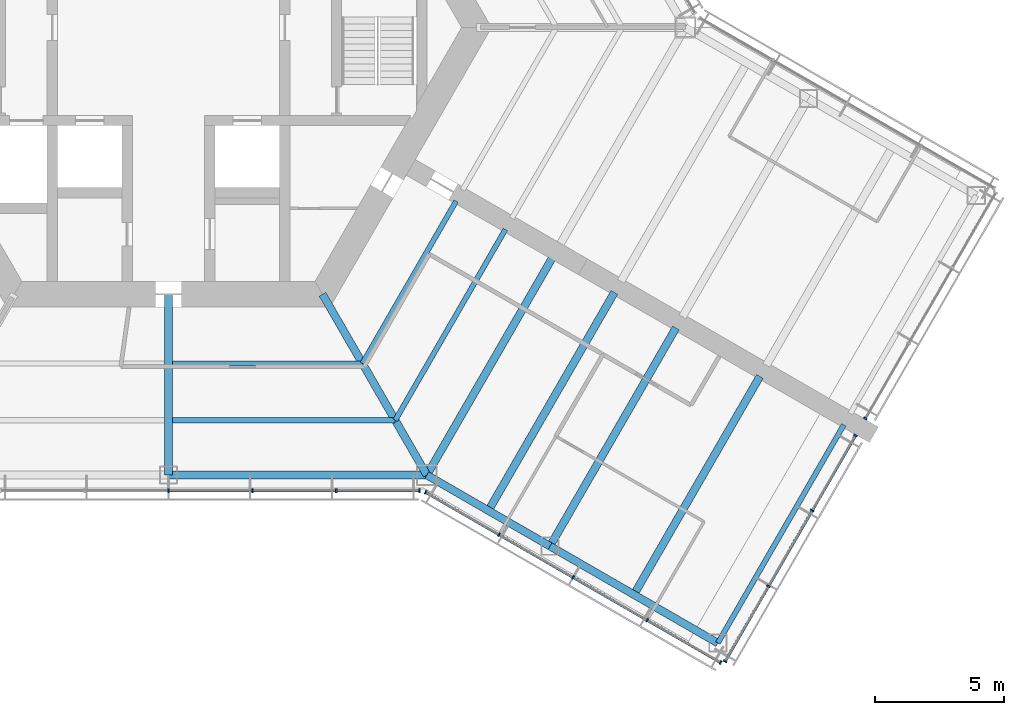
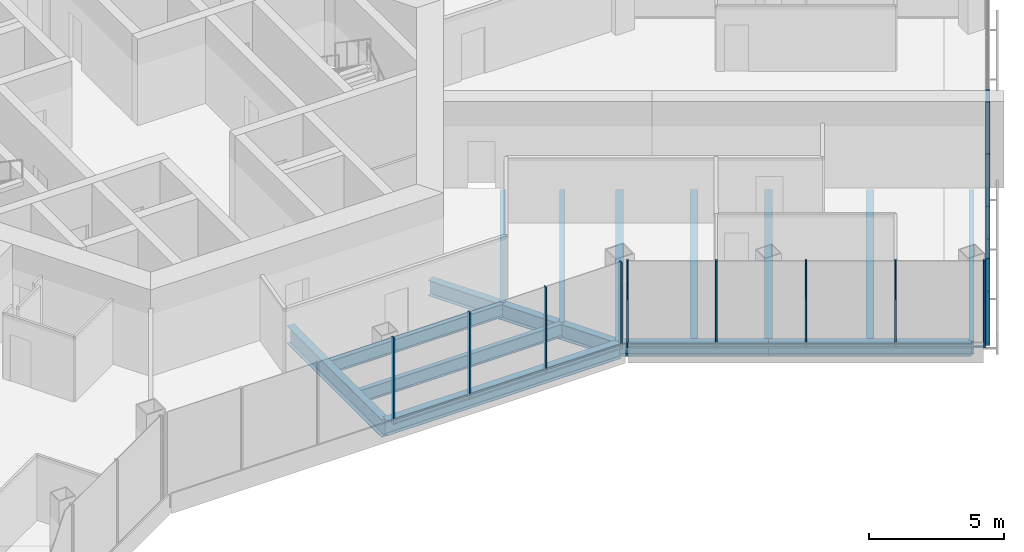
# One storey, part 5 of 18: 24 members, 14 beams, 4 elements without a shape of their own.
"""IFC4 building model written with IfcOpenShell, lengths in metres."""

from ifc_helpers import new_model, si_unit, direction, frame, origin, origin_2d, place, context, subcontext, project, spatial, rectangle, i_section, extrude, material, material_profile, profile_set, type_object, element, aggregate, save


model = new_model("IFC4")

# Units and contexts
model_context = context("Model", 3, precision=1e-05, world=origin(), true_north=direction((0.0, 1.0)))
body_context = subcontext(model_context, "Body", "Model", "MODEL_VIEW")
ifc_project = project(units=[si_unit("LENGTHUNIT", "METRE"), si_unit("AREAUNIT", "SQUARE_METRE"), si_unit("VOLUMEUNIT", "CUBIC_METRE"), si_unit("PLANEANGLEUNIT", "RADIAN"), si_unit("MASSUNIT", "GRAM", prefix="KILO")], contexts=[model_context])

# Site, building, storey
site_placement = place(None, origin())
site = spatial("IfcSite", under=ifc_project, at=site_placement, CompositionType="ELEMENT")
building_placement = place(site_placement, origin())
building = spatial("IfcBuilding", under=site, at=building_placement, Name="Kasaneha Research Tower", CompositionType="ELEMENT")
storey_placement = place(building_placement, frame((0.0, 0.0, 148.699951171875)))
storey = spatial("IfcBuildingStorey", under=building, at=storey_placement, Name="L37", CompositionType="ELEMENT", Elevation=148.699951171875)

# Beams
ifc_material_1 = material(Name="Steel SN490B", Category="steel")
ifc_material_profile_1 = material_profile(ifc_material_1, i_section(OverallWidth=0.199951171875, OverallDepth=0.60009765625, WebThickness=0.010986328125, FlangeThickness=0.01708984375, FilletRadius=0.012939453125, at=origin_2d()), Name="H-600x200x11x17")
ifc_profile_set_1 = profile_set([ifc_material_profile_1], Name="Steel SN490B")
beam_type_1 = type_object("IfcBeamType", Name="B1-3 secondary beam H-600x200x11x17", PredefinedType="JOIST", material=ifc_profile_set_1)
beam_1_placement = place(storey_placement, frame((7.505615234375, -13.0, -0.449951171875), z_axis=(-1.0, 0.0, 0.0), x_axis=(0.0, -1.0, 0.0)))
element("IfcBeam", 1, at=beam_1_placement, inside=storey, type_object=beam_type_1, Name="Secondary beam RS270R1 L37", PredefinedType="JOIST", context=body_context, shape_type="SweptSolid", body=[
    extrude(i_section(OverallWidth=0.199951171875, OverallDepth=0.60009765625, WebThickness=0.010986328125, FlangeThickness=0.01708984375, FilletRadius=0.012939453125, at=origin_2d()), origin(), (0.0, 0.0, 1.0), 7.355712890625),
])
beam_2_placement = place(storey_placement, frame((8.775634765625, -15.199951171875, -0.449951171875), z_axis=(-1.0, 0.0, 0.0), x_axis=(0.0, -1.0, 0.0)))
element("IfcBeam", 2, at=beam_2_placement, inside=storey, type_object=beam_type_1, Name="Secondary beam RS270R2 L37", PredefinedType="JOIST", context=body_context, shape_type="SweptSolid", body=[
    extrude(i_section(OverallWidth=0.199951171875, OverallDepth=0.60009765625, WebThickness=0.010986328125, FlangeThickness=0.01708984375, FilletRadius=0.012939453125, at=origin_2d()), origin(), (0.0, 0.0, 1.0), 8.625732421875),
])
beam_3_placement = place(storey_placement, frame((7.505615234375, -13.0, -0.449951171875), z_axis=(0.499993340521, 0.866029248602, 0.0), x_axis=(-0.866029248602, 0.499993340521, 0.0)))
element("IfcBeam", 3, at=beam_3_placement, inside=storey, type_object=beam_type_1, Name="Secondary beam RS330L1 L37", PredefinedType="JOIST", context=body_context, shape_type="SweptSolid", body=[
    extrude(i_section(OverallWidth=0.199951171875, OverallDepth=0.60009765625, WebThickness=0.010986328125, FlangeThickness=0.01708984375, FilletRadius=0.012939453125, at=origin_2d()), origin(), (0.0, 0.0, 1.0), 7.25537109375),
])
beam_4_placement = place(storey_placement, frame((8.775634765625, -15.199951171875, -0.449951171875), z_axis=(0.500004205306, 0.866022975836, 0.0), x_axis=(-0.866022975836, 0.500004205306, 0.0)))
element("IfcBeam", 4, at=beam_4_placement, inside=storey, type_object=beam_type_1, Name="Secondary beam RS330L2 L37", PredefinedType="JOIST", context=body_context, shape_type="SweptSolid", body=[
    extrude(i_section(OverallWidth=0.199951171875, OverallDepth=0.60009765625, WebThickness=0.010986328125, FlangeThickness=0.01708984375, FilletRadius=0.012939453125, at=origin_2d()), origin(), (0.0, 0.0, 1.0), 8.52587890625),
])
ifc_material_2 = material(Name="Steel SN490B", Category="steel")
ifc_material_profile_2 = material_profile(ifc_material_2, i_section(OverallWidth=0.300048828125, OverallDepth=0.58203125, WebThickness=0.011962890625, FlangeThickness=0.01708984375, FilletRadius=0.012939453125, at=origin_2d()), Name="H-582x300x12x17")
ifc_profile_set_2 = profile_set([ifc_material_profile_2], Name="Steel SN490B")
beam_type_2 = type_object("IfcBeamType", Name="B2-3 secondary beam H-582x300x12x17", PredefinedType="JOIST", material=ifc_profile_set_2)
for number, where, z_axis, x_axis, name in (
    (5, (12.381591796875, -18.695556640625, -0.44091796875), (0.499995560238, 0.866027967067, 0.0), (-0.866027967067, 0.499995560238, 0.0), "Secondary beam WBCP1 L37"),
    (6, (18.0107421875, -21.945556640625, -0.44091796875), (0.499995560238, 0.866027967067, 0.0), (-0.866027967067, 0.499995560238, 0.0), "Secondary beam WBCP2 L37"),
):
    element("IfcBeam", number, at=place(storey_placement, frame(where, z_axis=z_axis, x_axis=x_axis)), inside=storey, type_object=beam_type_2, Name=name, PredefinedType="JOIST", context=body_context, shape_type="SweptSolid", body=[
        extrude(i_section(OverallWidth=0.300048828125, OverallDepth=0.58203125, WebThickness=0.011962890625, FlangeThickness=0.01708984375, FilletRadius=0.012939453125, at=origin_2d()), origin(), (0.0, 0.0, 1.0), 9.75),
    ])

# Curtain wall, members
ifc_material_3 = material(Name="Glass and aluminium", Category="aluminium")
curtain_wall_type = type_object("IfcCurtainWallType", Name="Mid-rise office curtain wall", PredefinedType="USERDEFINED", material=ifc_material_3)
curtain_wall_1_placement = place(storey_placement, origin())
curtain_wall_1 = element("IfcCurtainWall", 7, at=curtain_wall_1_placement, inside=storey, type_object=curtain_wall_type, Name="CW-O2 L37 run 01a", ObjectType="UNITISED CURTAIN WALL", PredefinedType="USERDEFINED")
ifc_material_4 = material(Name="Aluminium 6063-T6", Category="aluminium")
ifc_material_profile_3 = material_profile(ifc_material_4, rectangle(XDim=0.06005859375, YDim=0.14990234375, at=origin_2d()), Name="CW-O2 mullion 60x150")
ifc_profile_set_3 = profile_set([ifc_material_profile_3], Name="Aluminium 6063-T6")
member_type_1 = type_object("IfcMemberType", Name="CW-O2 mullion", PredefinedType="MULLION", material=ifc_profile_set_3)
member_1_placement = place(storey_placement, frame((0.0, -17.92041015625, 0.0), z_axis=(0.0, 0.0, 1.0), x_axis=(1.0, 0.0, 0.0)))
member_1 = element("IfcMember", 8, at=member_1_placement, type_object=member_type_1, Name="CW-O2 mullion 4", PredefinedType="MULLION", context=body_context, shape_type="SweptSolid", body=[
    extrude(rectangle(XDim=0.06005859375, YDim=0.14990234375, at=origin_2d()), origin(), (0.0, 0.0, 1.0), 3.900146484375),
])
member_2_placement = place(storey_placement, frame((3.246337890625, -17.92041015625, 0.0), z_axis=(0.0, 0.0, 1.0), x_axis=(1.0, 0.0, 0.0)))
member_2 = element("IfcMember", 9, at=member_2_placement, type_object=member_type_1, Name="CW-O2 mullion 5", PredefinedType="MULLION", context=body_context, shape_type="SweptSolid", body=[
    extrude(rectangle(XDim=0.06005859375, YDim=0.14990234375, at=origin_2d()), origin(), (0.0, 0.0, 1.0), 3.900146484375),
])
member_3_placement = place(storey_placement, frame((6.492919921875, -17.92041015625, 0.0), z_axis=(0.0, 0.0, 1.0), x_axis=(1.0, 0.0, 0.0)))
member_3 = element("IfcMember", 10, at=member_3_placement, type_object=member_type_1, Name="CW-O2 mullion 6", PredefinedType="MULLION", context=body_context, shape_type="SweptSolid", body=[
    extrude(rectangle(XDim=0.06005859375, YDim=0.14990234375, at=origin_2d()), origin(), (0.0, 0.0, 1.0), 3.900146484375),
])
member_4_placement = place(storey_placement, frame((9.709228515625, -17.92041015625, 0.0), z_axis=(0.0, 0.0, 1.0), x_axis=(1.0, 0.0, 0.0)))
member_4 = element("IfcMember", 11, at=member_4_placement, type_object=member_type_1, Name="CW-O2 mullion 7", PredefinedType="MULLION", context=body_context, shape_type="SweptSolid", body=[
    extrude(rectangle(XDim=0.06005859375, YDim=0.14990234375, at=origin_2d()), origin(), (0.0, 0.0, 1.0), 3.900146484375),
])

curtain_wall_2_placement = place(storey_placement, origin())
curtain_wall_2 = element("IfcCurtainWall", 12, at=curtain_wall_2_placement, inside=storey, type_object=curtain_wall_type, Name="CW-O2 L37 run 02a", ObjectType="UNITISED CURTAIN WALL", PredefinedType="USERDEFINED")
member_5_placement = place(storey_placement, frame((9.951904296875, -17.985595703125, 0.0), z_axis=(0.0, 0.0, 1.0), x_axis=(0.866025411464, -0.499999986699, 0.0)))
member_5 = element("IfcMember", 13, at=member_5_placement, type_object=member_type_1, Name="CW-O2 mullion 1", PredefinedType="MULLION", context=body_context, shape_type="SweptSolid", body=[
    extrude(rectangle(XDim=0.06005859375, YDim=0.14990234375, at=origin_2d()), origin(), (0.0, 0.0, 1.0), 3.900146484375),
])
member_6_placement = place(storey_placement, frame((12.792236328125, -19.62548828125, 0.0), z_axis=(0.0, 0.0, 1.0), x_axis=(0.866025411464, -0.499999986699, 0.0)))
member_6 = element("IfcMember", 14, at=member_6_placement, type_object=member_type_1, Name="CW-O2 mullion 2", PredefinedType="MULLION", context=body_context, shape_type="SweptSolid", body=[
    extrude(rectangle(XDim=0.06005859375, YDim=0.14990234375, at=origin_2d()), origin(), (0.0, 0.0, 1.0), 3.900146484375),
])
member_7_placement = place(storey_placement, frame((15.65869140625, -21.2802734375, 0.0), z_axis=(0.0, 0.0, 1.0), x_axis=(0.866025411464, -0.499999986699, 0.0)))
member_7 = element("IfcMember", 15, at=member_7_placement, type_object=member_type_1, Name="CW-O2 mullion 3", PredefinedType="MULLION", context=body_context, shape_type="SweptSolid", body=[
    extrude(rectangle(XDim=0.06005859375, YDim=0.14990234375, at=origin_2d()), origin(), (0.0, 0.0, 1.0), 3.900146484375),
])
member_8_placement = place(storey_placement, frame((18.52490234375, -22.935302734375, 0.0), z_axis=(0.0, 0.0, 1.0), x_axis=(0.866025411464, -0.499999986699, 0.0)))
member_8 = element("IfcMember", 16, at=member_8_placement, type_object=member_type_1, Name="CW-O2 mullion 4", PredefinedType="MULLION", context=body_context, shape_type="SweptSolid", body=[
    extrude(rectangle(XDim=0.06005859375, YDim=0.14990234375, at=origin_2d()), origin(), (0.0, 0.0, 1.0), 3.900146484375),
])
member_9_placement = place(storey_placement, frame((21.365478515625, -24.5751953125, 0.0), z_axis=(0.0, 0.0, 1.0), x_axis=(0.866025411464, -0.499999986699, 0.0)))
member_9 = element("IfcMember", 17, at=member_9_placement, type_object=member_type_1, Name="CW-O2 mullion 5", PredefinedType="MULLION", context=body_context, shape_type="SweptSolid", body=[
    extrude(rectangle(XDim=0.06005859375, YDim=0.14990234375, at=origin_2d()), origin(), (0.0, 0.0, 1.0), 3.900146484375),
])

curtain_wall_3_placement = place(storey_placement, origin())
curtain_wall_3 = element("IfcCurtainWall", 18, at=curtain_wall_3_placement, inside=storey, type_object=curtain_wall_type, Name="CW-O2 L37 run 03a", ObjectType="UNITISED CURTAIN WALL", PredefinedType="USERDEFINED")
member_10_placement = place(storey_placement, frame((21.54296875, -24.527587890625, 0.0), z_axis=(0.0, 0.0, 1.0), x_axis=(0.500000011442, 0.866025397178, 0.0)))
member_10 = element("IfcMember", 19, at=member_10_placement, type_object=member_type_1, Name="CW-O2 mullion 1", PredefinedType="MULLION", context=body_context, shape_type="SweptSolid", body=[
    extrude(rectangle(XDim=0.06005859375, YDim=0.14990234375, at=origin_2d()), origin(), (0.0, 0.0, 1.0), 3.900146484375),
])
member_11_placement = place(storey_placement, frame((23.2197265625, -21.62353515625, 0.0), z_axis=(0.0, 0.0, 1.0), x_axis=(0.500000011442, 0.866025397178, 0.0)))
member_11 = element("IfcMember", 20, at=member_11_placement, type_object=member_type_1, Name="CW-O2 mullion 2", PredefinedType="MULLION", context=body_context, shape_type="SweptSolid", body=[
    extrude(rectangle(XDim=0.06005859375, YDim=0.14990234375, at=origin_2d()), origin(), (0.0, 0.0, 1.0), 3.900146484375),
])
member_12_placement = place(storey_placement, frame((24.911376953125, -18.693359375, 0.0), z_axis=(0.0, 0.0, 1.0), x_axis=(0.500000011442, 0.866025397178, 0.0)))
member_12 = element("IfcMember", 21, at=member_12_placement, type_object=member_type_1, Name="CW-O2 mullion 3", PredefinedType="MULLION", context=body_context, shape_type="SweptSolid", body=[
    extrude(rectangle(XDim=0.06005859375, YDim=0.14990234375, at=origin_2d()), origin(), (0.0, 0.0, 1.0), 3.900146484375),
])
member_13_placement = place(storey_placement, frame((26.587890625, -15.789306640625, 0.0), z_axis=(0.0, 0.0, 1.0), x_axis=(0.500000011442, 0.866025397178, 0.0)))
member_13 = element("IfcMember", 22, at=member_13_placement, type_object=member_type_1, Name="CW-O2 mullion 4", PredefinedType="MULLION", context=body_context, shape_type="SweptSolid", body=[
    extrude(rectangle(XDim=0.06005859375, YDim=0.14990234375, at=origin_2d()), origin(), (0.0, 0.0, 1.0), 3.900146484375),
])

# Curtain wall, member
curtain_wall_4_placement = place(storey_placement, origin())
curtain_wall_4 = element("IfcCurtainWall", 23, at=curtain_wall_4_placement, inside=storey, type_object=curtain_wall_type, Name="CW-O2 L37 run 04a", ObjectType="UNITISED CURTAIN WALL", PredefinedType="USERDEFINED")
member_14_placement = place(storey_placement, frame((26.968017578125, -15.131103515625, 0.0), z_axis=(0.0, 0.0, 1.0), x_axis=(0.500000011442, 0.866025397178, 0.0)))
member_14 = element("IfcMember", 24, at=member_14_placement, type_object=member_type_1, Name="CW-O2 mullion 1", PredefinedType="MULLION", context=body_context, shape_type="SweptSolid", body=[
    extrude(rectangle(XDim=0.06005859375, YDim=0.14990234375, at=origin_2d()), origin(), (0.0, 0.0, 1.0), 3.900146484375),
])
aggregate(curtain_wall_4, [member_14])

# Member
ifc_material_5 = material(Name="Aluminium 6063-T6", Category="aluminium")
ifc_material_profile_4 = material_profile(ifc_material_5, rectangle(XDim=0.110107421875, YDim=0.06005859375, at=origin_2d()), Name="CW-O2 transom 110x60")
ifc_profile_set_4 = profile_set([ifc_material_profile_4], Name="Aluminium 6063-T6")
member_type_2 = type_object("IfcMemberType", Name="CW-O2 transom", PredefinedType="USERDEFINED", material=ifc_profile_set_4)
member_15_placement = place(storey_placement, frame((0.030029296875, -17.92041015625, 0.030029296875), z_axis=(1.0, 0.0, 0.0), x_axis=(0.0, 1.0, 0.0)))
member_15 = element("IfcMember", 25, at=member_15_placement, type_object=member_type_2, Name="CW-O2 transom 4", ObjectType="TRANSOM", PredefinedType="USERDEFINED", context=body_context, shape_type="SweptSolid", body=[
    extrude(rectangle(XDim=0.110107421875, YDim=0.06005859375, at=origin_2d()), origin(), (0.0, 0.0, 1.0), 3.186279296875),
])

member_16_placement = place(storey_placement, frame((3.2763671875, -17.92041015625, 0.030029296875), z_axis=(1.0, 0.0, 0.0), x_axis=(0.0, 1.0, 0.0)))
member_16 = element("IfcMember", 26, at=member_16_placement, type_object=member_type_2, Name="CW-O2 transom 5", ObjectType="TRANSOM", PredefinedType="USERDEFINED", context=body_context, shape_type="SweptSolid", body=[
    extrude(rectangle(XDim=0.110107421875, YDim=0.06005859375, at=origin_2d()), origin(), (0.0, 0.0, 1.0), 3.1865234375),
])

member_17_placement = place(storey_placement, frame((6.522705078125, -17.92041015625, 0.030029296875), z_axis=(1.0, 0.0, 0.0), x_axis=(0.0, 1.0, 0.0)))
member_17 = element("IfcMember", 27, at=member_17_placement, type_object=member_type_2, Name="CW-O2 transom 6", ObjectType="TRANSOM", PredefinedType="USERDEFINED", context=body_context, shape_type="SweptSolid", body=[
    extrude(rectangle(XDim=0.110107421875, YDim=0.06005859375, at=origin_2d()), origin(), (0.0, 0.0, 1.0), 3.156494140625),
])

aggregate(curtain_wall_1, [member_1, member_2, member_3, member_4, member_15, member_16, member_17])

member_18_placement = place(storey_placement, frame((9.977783203125, -18.00048828125, 0.030029296875), z_axis=(0.866022692473, -0.500004696101, 0.0), x_axis=(0.500004696101, 0.866022692473, 0.0)))
member_18 = element("IfcMember", 28, at=member_18_placement, type_object=member_type_2, Name="CW-O2 transom 1", ObjectType="TRANSOM", PredefinedType="USERDEFINED", context=body_context, shape_type="SweptSolid", body=[
    extrude(rectangle(XDim=0.110107421875, YDim=0.06005859375, at=origin_2d()), origin(), (0.0, 0.0, 1.0), 3.2197265625),
])

member_19_placement = place(storey_placement, frame((12.818115234375, -19.640380859375, 0.030029296875), z_axis=(0.866015446554, -0.500017246033, 0.0), x_axis=(0.500017246033, 0.866015446554, 0.0)))
member_19 = element("IfcMember", 29, at=member_19_placement, type_object=member_type_2, Name="CW-O2 transom 2", ObjectType="TRANSOM", PredefinedType="USERDEFINED", context=body_context, shape_type="SweptSolid", body=[
    extrude(rectangle(XDim=0.110107421875, YDim=0.06005859375, at=origin_2d()), origin(), (0.0, 0.0, 1.0), 3.25),
])

member_20_placement = place(storey_placement, frame((15.6845703125, -21.29541015625, 0.030029296875), z_axis=(0.86604797581, -0.499960902066, 0.0), x_axis=(0.499960902066, 0.86604797581, 0.0)))
member_20 = element("IfcMember", 30, at=member_20_placement, type_object=member_type_2, Name="CW-O2 transom 3", ObjectType="TRANSOM", PredefinedType="USERDEFINED", context=body_context, shape_type="SweptSolid", body=[
    extrude(rectangle(XDim=0.110107421875, YDim=0.06005859375, at=origin_2d()), origin(), (0.0, 0.0, 1.0), 3.249755859375),
])

member_21_placement = place(storey_placement, frame((18.551025390625, -22.9501953125, 0.030029296875), z_axis=(0.866022692473, -0.500004696101, 0.0), x_axis=(0.500004696101, 0.866022692473, 0.0)))
member_21 = element("IfcMember", 31, at=member_21_placement, type_object=member_type_2, Name="CW-O2 transom 4", ObjectType="TRANSOM", PredefinedType="USERDEFINED", context=body_context, shape_type="SweptSolid", body=[
    extrude(rectangle(XDim=0.110107421875, YDim=0.06005859375, at=origin_2d()), origin(), (0.0, 0.0, 1.0), 3.2197265625),
])

aggregate(curtain_wall_2, [member_5, member_6, member_7, member_8, member_9, member_18, member_19, member_20, member_21])

member_22_placement = place(storey_placement, frame((21.557861328125, -24.50146484375, 0.030029296875), z_axis=(0.500021914551, 0.866012751043, 0.0), x_axis=(-0.866012751043, 0.500021914551, 0.0)))
member_22 = element("IfcMember", 32, at=member_22_placement, type_object=member_type_2, Name="CW-O2 transom 1", ObjectType="TRANSOM", PredefinedType="USERDEFINED", context=body_context, shape_type="SweptSolid", body=[
    extrude(rectangle(XDim=0.110107421875, YDim=0.06005859375, at=origin_2d()), origin(), (0.0, 0.0, 1.0), 3.293212890625),
])

member_23_placement = place(storey_placement, frame((23.234619140625, -21.597412109375, 0.030029296875), z_axis=(0.500010745865, 0.866019199568, 0.0), x_axis=(-0.866019199568, 0.500010745865, 0.0)))
member_23 = element("IfcMember", 33, at=member_23_placement, type_object=member_type_2, Name="CW-O2 transom 2", ObjectType="TRANSOM", PredefinedType="USERDEFINED", context=body_context, shape_type="SweptSolid", body=[
    extrude(rectangle(XDim=0.110107421875, YDim=0.06005859375, at=origin_2d()), origin(), (0.0, 0.0, 1.0), 3.3232421875),
])

member_24_placement = place(storey_placement, frame((24.92626953125, -18.66748046875, 0.030029296875), z_axis=(0.500021914551, 0.866012751043, 0.0), x_axis=(-0.866012751043, 0.500021914551, 0.0)))
member_24 = element("IfcMember", 34, at=member_24_placement, type_object=member_type_2, Name="CW-O2 transom 3", ObjectType="TRANSOM", PredefinedType="USERDEFINED", context=body_context, shape_type="SweptSolid", body=[
    extrude(rectangle(XDim=0.110107421875, YDim=0.06005859375, at=origin_2d()), origin(), (0.0, 0.0, 1.0), 3.293212890625),
])

aggregate(curtain_wall_3, [member_10, member_11, member_12, member_13, member_22, member_23, member_24])

# Beams
ifc_material_6 = material(Name="Steel SN490B", Category="steel")
ifc_material_profile_5 = material_profile(ifc_material_6, i_section(OverallWidth=0.300048828125, OverallDepth=0.699951171875, WebThickness=0.012939453125, FlangeThickness=0.02392578125, FilletRadius=0.01806640625, at=origin_2d()), Name="H-700x300x13x24")
ifc_profile_set_5 = profile_set([ifc_material_profile_5], Name="Steel SN490B")
beam_type_3 = type_object("IfcBeamType", Name="G1-3 radial girder H-700x300x13x24", PredefinedType="BEAM", material=ifc_profile_set_5)
beam_5_placement = place(storey_placement, frame((5.961181640625, -10.324951171875, -0.5), z_axis=(0.49999105496, -0.866030568144, 0.0), x_axis=(0.866030568144, 0.49999105496, 0.0)))
element("IfcBeam", 35, at=beam_5_placement, inside=storey, type_object=beam_type_3, Name="Radial girder RV300 L37", PredefinedType="BEAM", context=body_context, shape_type="SweptSolid", body=[
    extrude(i_section(OverallWidth=0.300048828125, OverallDepth=0.699951171875, WebThickness=0.012939453125, FlangeThickness=0.02392578125, FilletRadius=0.01806640625, at=origin_2d()), origin(), (0.0, 0.0, 1.0), 8.077880859375),
])
ifc_material_7 = material(Name="Steel SN490B", Category="steel")
ifc_material_profile_6 = material_profile(ifc_material_7, i_section(OverallWidth=0.300048828125, OverallDepth=0.800048828125, WebThickness=0.013916015625, FlangeThickness=0.02587890625, FilletRadius=0.01806640625, at=origin_2d()), Name="H-800x300x14x26")
ifc_profile_set_6 = profile_set([ifc_material_profile_6], Name="Steel SN490B")
beam_type_4 = type_object("IfcBeamType", Name="G2-3 radial girder H-800x300x14x26", PredefinedType="BEAM", material=ifc_profile_set_6)
beam_6_placement = place(storey_placement, frame((0.0, -10.324951171875, -0.550048828125), z_axis=(0.0, -1.0, 0.0), x_axis=(1.0, 0.0, 0.0)))
element("IfcBeam", 36, at=beam_6_placement, inside=storey, type_object=beam_type_4, Name="Radial girder RM270 L37", PredefinedType="BEAM", context=body_context, shape_type="SweptSolid", body=[
    extrude(i_section(OverallWidth=0.300048828125, OverallDepth=0.800048828125, WebThickness=0.013916015625, FlangeThickness=0.02587890625, FilletRadius=0.01806640625, at=origin_2d()), origin(), (0.0, 0.0, 1.0), 6.99560546875),
])
ifc_material_8 = material(Name="Steel SN490B", Category="steel")
ifc_material_profile_7 = material_profile(ifc_material_8, i_section(OverallWidth=0.300048828125, OverallDepth=0.69189453125, WebThickness=0.012939453125, FlangeThickness=0.02001953125, FilletRadius=0.01806640625, at=origin_2d()), Name="H-692x300x13x20")
ifc_profile_set_7 = profile_set([ifc_material_profile_7], Name="Steel SN490B")
beam_type_5 = type_object("IfcBeamType", Name="G3-3 plate edge girder H-692x300x13x20", PredefinedType="BEAM", material=ifc_profile_set_7)
beam_7_placement = place(storey_placement, frame((10.0, -17.320556640625, -0.495849609375), z_axis=(0.499995560238, 0.866027967067, 0.0), x_axis=(-0.866027967067, 0.499995560238, 0.0)))
element("IfcBeam", 37, at=beam_7_placement, inside=storey, type_object=beam_type_5, Name="Plate edge girder PECP L37", PredefinedType="BEAM", context=body_context, shape_type="SweptSolid", body=[
    extrude(i_section(OverallWidth=0.300048828125, OverallDepth=0.69189453125, WebThickness=0.012939453125, FlangeThickness=0.02001953125, FilletRadius=0.01806640625, at=origin_2d()), origin(), (0.0, 0.0, 1.0), 9.75),
])
ifc_material_9 = material(Name="Steel SN490B", Category="steel")
ifc_material_profile_8 = material_profile(ifc_material_9, i_section(OverallWidth=0.300048828125, OverallDepth=0.699951171875, WebThickness=0.012939453125, FlangeThickness=0.02392578125, FilletRadius=0.01806640625, at=origin_2d()), Name="H-700x300x13x24")
ifc_profile_set_8 = profile_set([ifc_material_profile_8], Name="Steel SN490B")
beam_type_6 = type_object("IfcBeamType", Name="G4-3 wing girder H-700x300x13x24", PredefinedType="BEAM", material=ifc_profile_set_8)
beam_8_placement = place(storey_placement, frame((14.76318359375, -20.070556640625, -0.5), z_axis=(0.499995560238, 0.866027967067, 0.0), x_axis=(-0.866027967067, 0.499995560238, 0.0)))
element("IfcBeam", 38, at=beam_8_placement, inside=storey, type_object=beam_type_6, Name="Wing girder WGCP L37", PredefinedType="BEAM", context=body_context, shape_type="SweptSolid", body=[
    extrude(i_section(OverallWidth=0.300048828125, OverallDepth=0.699951171875, WebThickness=0.012939453125, FlangeThickness=0.02392578125, FilletRadius=0.01806640625, at=origin_2d()), origin(), (0.0, 0.0, 1.0), 9.75),
])
ifc_material_10 = material(Name="Steel SN490B", Category="steel")
ifc_material_profile_9 = material_profile(ifc_material_10, i_section(OverallWidth=0.300048828125, OverallDepth=0.69189453125, WebThickness=0.012939453125, FlangeThickness=0.02001953125, FilletRadius=0.01806640625, at=origin_2d()), Name="H-692x300x13x20")
ifc_profile_set_9 = profile_set([ifc_material_profile_9], Name="Steel SN490B")
beam_type_7 = type_object("IfcBeamType", Name="SB1-3 spandrel beam H-692x300x13x20", PredefinedType="SPANDREL", material=ifc_profile_set_9)
beam_9_placement = place(storey_placement, frame((10.0, -17.320556640625, -0.495849609375), z_axis=(-1.0, 0.0, 0.0), x_axis=(0.0, -1.0, 0.0)))
element("IfcBeam", 39, at=beam_9_placement, inside=storey, type_object=beam_type_7, Name="Spandrel beam SR270R L37", PredefinedType="SPANDREL", context=body_context, shape_type="SweptSolid", body=[
    extrude(i_section(OverallWidth=0.300048828125, OverallDepth=0.69189453125, WebThickness=0.012939453125, FlangeThickness=0.02001953125, FilletRadius=0.01806640625, at=origin_2d()), origin(), (0.0, 0.0, 1.0), 10.0),
])
ifc_material_11 = material(Name="Steel SN490B", Category="steel")
ifc_material_profile_10 = material_profile(ifc_material_11, i_section(OverallWidth=0.300048828125, OverallDepth=0.58203125, WebThickness=0.011962890625, FlangeThickness=0.01708984375, FilletRadius=0.012939453125, at=origin_2d()), Name="H-582x300x12x17")
ifc_profile_set_10 = profile_set([ifc_material_profile_10], Name="Steel SN490B")
beam_type_8 = type_object("IfcBeamType", Name="SB2-3 spandrel beam H-582x300x12x17", PredefinedType="SPANDREL", material=ifc_profile_set_10)
beam_10_placement = place(storey_placement, frame((10.0, -17.320556640625, -0.44091796875), z_axis=(0.866027397988, -0.499996545922, 0.0), x_axis=(0.499996545922, 0.866027397988, 0.0)))
element("IfcBeam", 40, at=beam_10_placement, inside=storey, type_object=beam_type_8, Name="Spandrel beam WSCP1 L37", PredefinedType="SPANDREL", context=body_context, shape_type="SweptSolid", body=[
    extrude(i_section(OverallWidth=0.300048828125, OverallDepth=0.58203125, WebThickness=0.011962890625, FlangeThickness=0.01708984375, FilletRadius=0.012939453125, at=origin_2d()), origin(), (0.0, 0.0, 1.0), 5.5),
])
beam_11_placement = place(storey_placement, frame((14.76318359375, -20.070556640625, -0.44091796875), z_axis=(0.866022959057, -0.500004234368, 0.0), x_axis=(0.500004234368, 0.866022959057, 0.0)))
element("IfcBeam", 41, at=beam_11_placement, inside=storey, type_object=beam_type_8, Name="Spandrel beam WSCP2 L37", PredefinedType="SPANDREL", context=body_context, shape_type="SweptSolid", body=[
    extrude(i_section(OverallWidth=0.300048828125, OverallDepth=0.58203125, WebThickness=0.011962890625, FlangeThickness=0.01708984375, FilletRadius=0.012939453125, at=origin_2d()), origin(), (0.0, 0.0, 1.0), 7.5),
])
ifc_material_12 = material(Name="Steel SN490B", Category="steel")
ifc_material_profile_11 = material_profile(ifc_material_12, i_section(OverallWidth=0.199951171875, OverallDepth=0.60009765625, WebThickness=0.010986328125, FlangeThickness=0.01708984375, FilletRadius=0.012939453125, at=origin_2d()), Name="H-600x200x11x17")
ifc_profile_set_11 = profile_set([ifc_material_profile_11], Name="Steel SN490B")
beam_type_9 = type_object("IfcBeamType", Name="SB3-3 spandrel beam H-600x200x11x17", PredefinedType="SPANDREL", material=ifc_profile_set_11)
beam_12_placement = place(storey_placement, frame((21.25830078125, -23.820556640625, -0.449951171875), z_axis=(0.499995560238, 0.866027967067, 0.0), x_axis=(-0.866027967067, 0.499995560238, 0.0)))
element("IfcBeam", 42, at=beam_12_placement, inside=storey, type_object=beam_type_9, Name="Spandrel beam WTCP L37", PredefinedType="SPANDREL", context=body_context, shape_type="SweptSolid", body=[
    extrude(i_section(OverallWidth=0.199951171875, OverallDepth=0.60009765625, WebThickness=0.010986328125, FlangeThickness=0.01708984375, FilletRadius=0.012939453125, at=origin_2d()), origin(), (0.0, 0.0, 1.0), 9.75),
])

save(model, "model.ifc")
